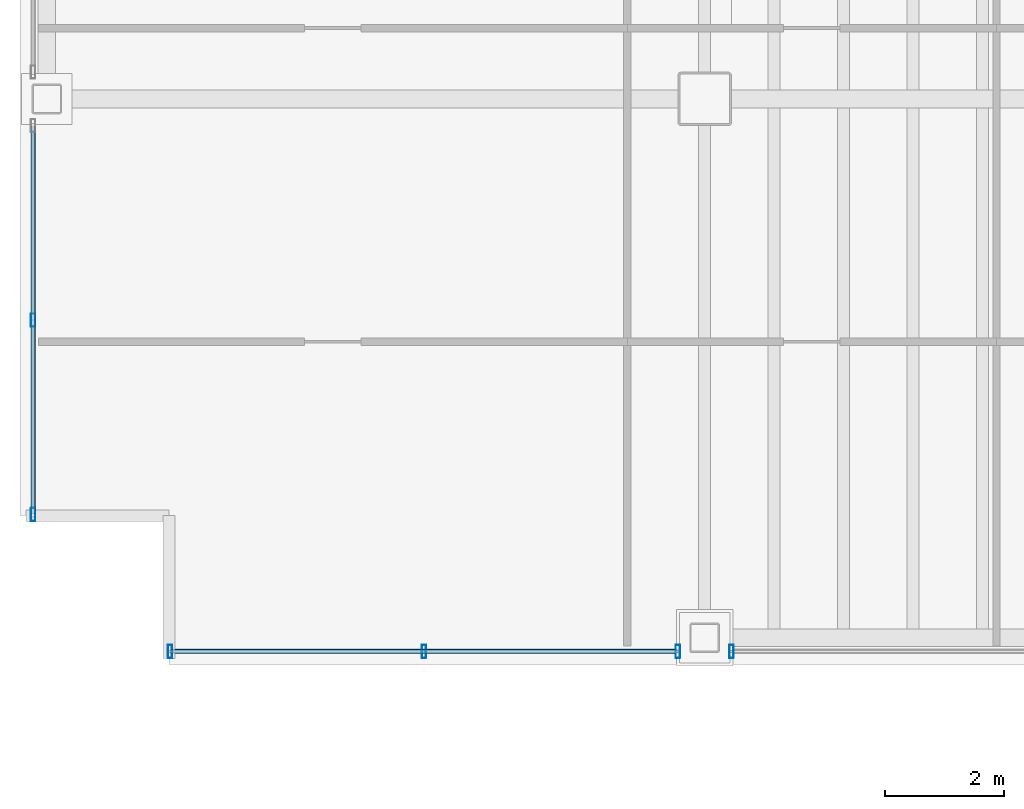
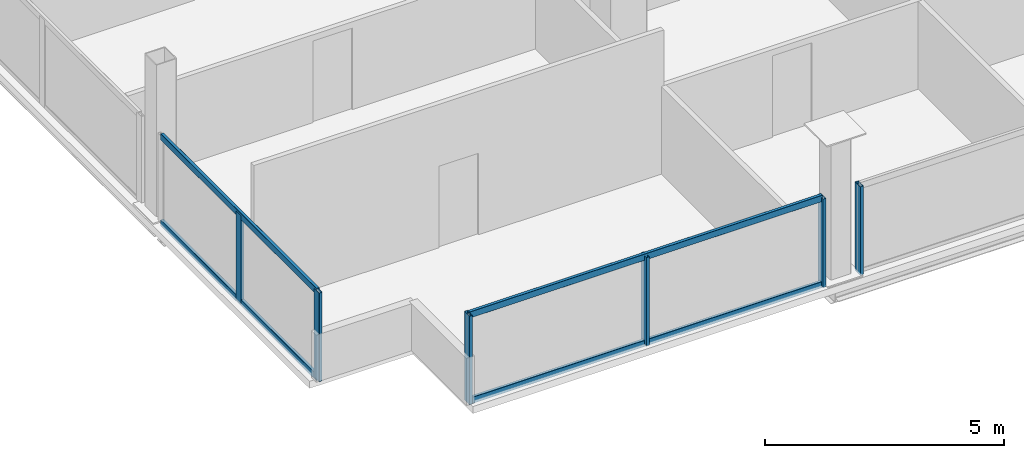
# One storey, part 2 of 22: 10 members, 3 elements without a shape of their own.
"""IFC4 building model written with IfcOpenShell, lengths in metres."""

from ifc_helpers import new_model, si_unit, direction, frame, origin, origin_2d, place, context, subcontext, project, spatial, hollow_rectangle, extrude, material, material_profile, profile_set, type_object, element, aggregate, save


model = new_model("IFC4")

# Units and contexts
model_context = context("Model", 3, precision=1e-05, world=origin(), true_north=direction((0.0, 1.0)))
body_context = subcontext(model_context, "Body", "Model", "MODEL_VIEW")
ifc_project = project(units=[si_unit("LENGTHUNIT", "METRE"), si_unit("AREAUNIT", "SQUARE_METRE"), si_unit("VOLUMEUNIT", "CUBIC_METRE"), si_unit("PLANEANGLEUNIT", "RADIAN"), si_unit("MASSUNIT", "GRAM", prefix="KILO")], contexts=[model_context])

# Site, building, storey
site_placement = place(None, origin())
site = spatial("IfcSite", under=ifc_project, at=site_placement, CompositionType="ELEMENT")
building_placement = place(site_placement, origin())
building = spatial("IfcBuilding", under=site, at=building_placement, Name="Noeulbin Bourse Tower", CompositionType="ELEMENT")
storey_placement = place(building_placement, frame((0.0, 0.0, 138.300048828125)))
storey = spatial("IfcBuildingStorey", under=building, at=storey_placement, Name="L34", CompositionType="ELEMENT", Elevation=138.300048828125)

# Curtain wall, members
ifc_material_1 = material(Name="Dark Tinted Triple Glazing", Category="glass")
curtain_wall_type = type_object("IfcCurtainWallType", Name="CW-SYS-3", PredefinedType="NOTDEFINED", material=ifc_material_1)
curtain_wall_1_placement = place(storey_placement, origin())
curtain_wall_1 = element("IfcCurtainWall", 1, at=curtain_wall_1_placement, inside=storey, type_object=curtain_wall_type, Name="Unitised Curtain Wall CW-L34-S1-S1", PredefinedType="NOTDEFINED")
ifc_material_2 = material(Name="Anodised Aluminium 6063-T6", Category="aluminium")
ifc_material_profile_1 = material_profile(ifc_material_2, hollow_rectangle(XDim=0.074951171875, YDim=0.219970703125, WallThickness=0.0048828125, InnerFilletRadius=0.00244140625, OuterFilletRadius=0.0048828125, at=origin_2d()), Name="ALU-MULL-75x220x5", Category="LoadBearing")
ifc_profile_set_1 = profile_set([ifc_material_profile_1], Name="Anodised Aluminium 6063-T6")
member_type_1 = type_object("IfcMemberType", Name="CW-SYS-3-MUL", PredefinedType="MULLION", material=ifc_profile_set_1)
member_1_placement = place(storey_placement, frame((4.52001953125, 10.719970703125, -0.02001953125), z_axis=(0.0, 0.0, 1.0), x_axis=(1.0, 0.0, 0.0)))
member_1 = element("IfcMember", 2, at=member_1_placement, type_object=member_type_1, Name="Curtain Wall Mullion CW-L34-S1-S1-M00", PredefinedType="MULLION", context=body_context, shape_type="SweptSolid", body=[
    extrude(hollow_rectangle(XDim=0.074951171875, YDim=0.219970703125, WallThickness=0.0048828125, InnerFilletRadius=0.00244140625, OuterFilletRadius=0.0048828125, at=origin_2d()), origin(), (0.0, 0.0, 1.0), 2.260009765625),
])
member_2_placement = place(storey_placement, frame((8.784912109375, 10.719970703125, -0.02001953125), z_axis=(0.0, 0.0, 1.0), x_axis=(1.0, 0.0, 0.0)))
member_2 = element("IfcMember", 3, at=member_2_placement, type_object=member_type_1, Name="Curtain Wall Mullion CW-L34-S1-S1-M01", PredefinedType="MULLION", context=body_context, shape_type="SweptSolid", body=[
    extrude(hollow_rectangle(XDim=0.074951171875, YDim=0.219970703125, WallThickness=0.0048828125, InnerFilletRadius=0.00244140625, OuterFilletRadius=0.0048828125, at=origin_2d()), origin(), (0.0, 0.0, 1.0), 2.260009765625),
])
member_3_placement = place(storey_placement, frame((13.050048828125, 10.719970703125, -0.02001953125), z_axis=(0.0, 0.0, 1.0), x_axis=(1.0, 0.0, 0.0)))
member_3 = element("IfcMember", 4, at=member_3_placement, type_object=member_type_1, Name="Curtain Wall Mullion CW-L34-S1-S1-M02", PredefinedType="MULLION", context=body_context, shape_type="SweptSolid", body=[
    extrude(hollow_rectangle(XDim=0.074951171875, YDim=0.219970703125, WallThickness=0.0048828125, InnerFilletRadius=0.00244140625, OuterFilletRadius=0.0048828125, at=origin_2d()), origin(), (0.0, 0.0, 1.0), 2.260009765625),
])

# Curtain wall, member
curtain_wall_2_placement = place(storey_placement, origin())
curtain_wall_2 = element("IfcCurtainWall", 5, at=curtain_wall_2_placement, inside=storey, type_object=curtain_wall_type, Name="Unitised Curtain Wall CW-L34-S1-S2", PredefinedType="NOTDEFINED")
member_4_placement = place(storey_placement, frame((13.949951171875, 10.719970703125, -0.02001953125), z_axis=(0.0, 0.0, 1.0), x_axis=(1.0, 0.0, 0.0)))
member_4 = element("IfcMember", 6, at=member_4_placement, type_object=member_type_1, Name="Curtain Wall Mullion CW-L34-S1-S2-M00", PredefinedType="MULLION", context=body_context, shape_type="SweptSolid", body=[
    extrude(hollow_rectangle(XDim=0.074951171875, YDim=0.219970703125, WallThickness=0.0048828125, InnerFilletRadius=0.00244140625, OuterFilletRadius=0.0048828125, at=origin_2d()), origin(), (0.0, 0.0, 1.0), 2.260009765625),
])
aggregate(curtain_wall_2, [member_4])

# Curtain wall, members
curtain_wall_3_placement = place(storey_placement, origin())
curtain_wall_3 = element("IfcCurtainWall", 7, at=curtain_wall_3_placement, inside=storey, type_object=curtain_wall_type, Name="Unitised Curtain Wall CW-L34-W-S1", PredefinedType="NOTDEFINED")
member_5_placement = place(storey_placement, frame((2.219970703125, 13.02001953125, -0.02001953125), z_axis=(0.0, 0.0, 1.0), x_axis=(1.0, 0.0, 0.0)))
member_5 = element("IfcMember", 8, at=member_5_placement, type_object=member_type_1, Name="Curtain Wall Mullion CW-L34-W-S1-M00", PredefinedType="MULLION", context=body_context, shape_type="SweptSolid", body=[
    extrude(hollow_rectangle(XDim=0.074951171875, YDim=0.219970703125, WallThickness=0.0048828125, InnerFilletRadius=0.00244140625, OuterFilletRadius=0.0048828125, at=origin_2d()), origin(), (0.0, 0.0, 1.0), 2.260009765625),
])
member_6_placement = place(storey_placement, frame((2.219970703125, 16.284912109375, -0.02001953125), z_axis=(0.0, 0.0, 1.0), x_axis=(1.0, 0.0, 0.0)))
member_6 = element("IfcMember", 9, at=member_6_placement, type_object=member_type_1, Name="Curtain Wall Mullion CW-L34-W-S1-M01", PredefinedType="MULLION", context=body_context, shape_type="SweptSolid", body=[
    extrude(hollow_rectangle(XDim=0.074951171875, YDim=0.219970703125, WallThickness=0.0048828125, InnerFilletRadius=0.00244140625, OuterFilletRadius=0.0048828125, at=origin_2d()), origin(), (0.0, 0.0, 1.0), 2.260009765625),
])

# Member
ifc_material_profile_2 = material_profile(ifc_material_2, hollow_rectangle(XDim=0.074951171875, YDim=0.159912109375, WallThickness=0.0048828125, InnerFilletRadius=0.00244140625, OuterFilletRadius=0.0048828125, at=origin_2d()), Name="ALU-TRAN-75x160x5", Category="LoadBearing")
ifc_profile_set_2 = profile_set([ifc_material_profile_2], Name="Anodised Aluminium 6063-T6")
member_type_2 = type_object("IfcMemberType", Name="CW-SYS-3-TRN", PredefinedType="USERDEFINED", material=ifc_profile_set_2)
member_7_placement = place(storey_placement, frame((4.530029296875, 10.719970703125, 0.010009765625), z_axis=(1.0, 0.0, 0.0), x_axis=(0.0, 1.0, 0.0)))
member_7 = element("IfcMember", 10, at=member_7_placement, type_object=member_type_2, Name="Curtain Wall Transom CW-L34-S1-S1-T00", ObjectType="TRANSOM", PredefinedType="USERDEFINED", context=body_context, shape_type="SweptSolid", body=[
    extrude(hollow_rectangle(XDim=0.074951171875, YDim=0.159912109375, WallThickness=0.0048828125, InnerFilletRadius=0.00244140625, OuterFilletRadius=0.0048828125, at=origin_2d()), origin(), (0.0, 0.0, 1.0), 8.510009765625),
])

member_8_placement = place(storey_placement, frame((4.530029296875, 10.719970703125, 2.2099609375), z_axis=(1.0, 0.0, 0.0), x_axis=(0.0, 1.0, 0.0)))
member_8 = element("IfcMember", 11, at=member_8_placement, type_object=member_type_2, Name="Curtain Wall Transom CW-L34-S1-S1-T01", ObjectType="TRANSOM", PredefinedType="USERDEFINED", context=body_context, shape_type="SweptSolid", body=[
    extrude(hollow_rectangle(XDim=0.074951171875, YDim=0.159912109375, WallThickness=0.0048828125, InnerFilletRadius=0.00244140625, OuterFilletRadius=0.0048828125, at=origin_2d()), origin(), (0.0, 0.0, 1.0), 8.510009765625),
])

aggregate(curtain_wall_1, [member_1, member_2, member_3, member_7, member_8])

member_9_placement = place(storey_placement, frame((2.219970703125, 13.030029296875, 0.010009765625), z_axis=(0.0, 1.0, 0.0), x_axis=(-1.0, 0.0, 0.0)))
member_9 = element("IfcMember", 12, at=member_9_placement, type_object=member_type_2, Name="Curtain Wall Transom CW-L34-W-S1-T00", ObjectType="TRANSOM", PredefinedType="USERDEFINED", context=body_context, shape_type="SweptSolid", body=[
    extrude(hollow_rectangle(XDim=0.074951171875, YDim=0.159912109375, WallThickness=0.0048828125, InnerFilletRadius=0.00244140625, OuterFilletRadius=0.0048828125, at=origin_2d()), origin(), (0.0, 0.0, 1.0), 6.510009765625),
])

member_10_placement = place(storey_placement, frame((2.219970703125, 13.030029296875, 2.2099609375), z_axis=(0.0, 1.0, 0.0), x_axis=(-1.0, 0.0, 0.0)))
member_10 = element("IfcMember", 13, at=member_10_placement, type_object=member_type_2, Name="Curtain Wall Transom CW-L34-W-S1-T01", ObjectType="TRANSOM", PredefinedType="USERDEFINED", context=body_context, shape_type="SweptSolid", body=[
    extrude(hollow_rectangle(XDim=0.074951171875, YDim=0.159912109375, WallThickness=0.0048828125, InnerFilletRadius=0.00244140625, OuterFilletRadius=0.0048828125, at=origin_2d()), origin(), (0.0, 0.0, 1.0), 6.510009765625),
])

aggregate(curtain_wall_3, [member_5, member_6, member_9, member_10])

save(model, "model.ifc")
